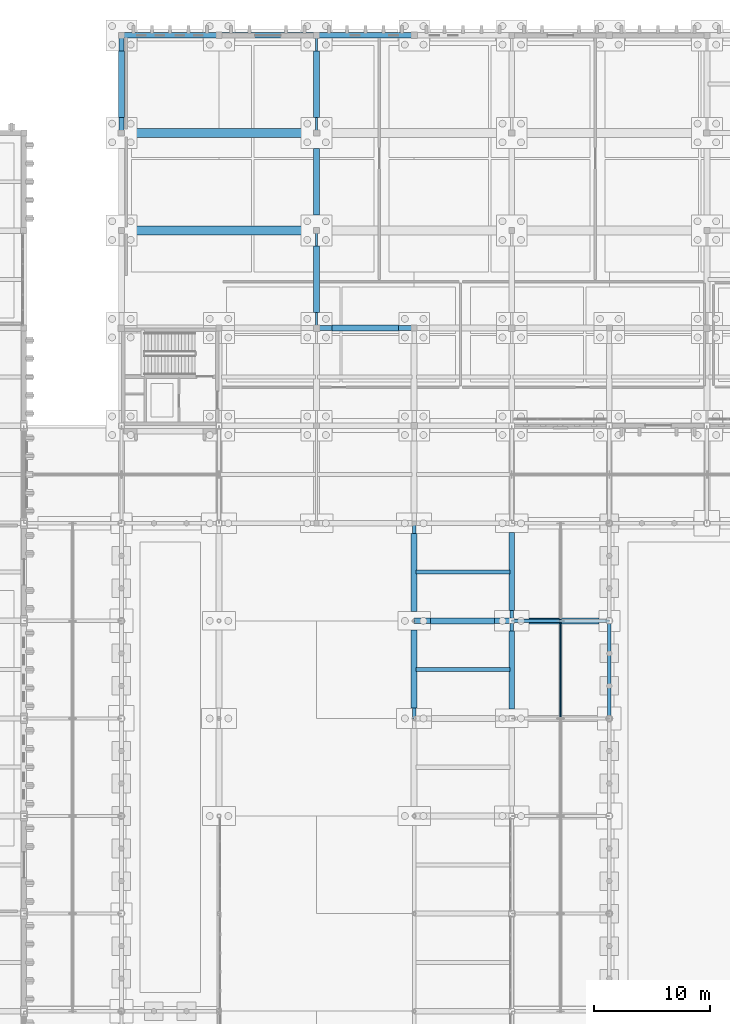
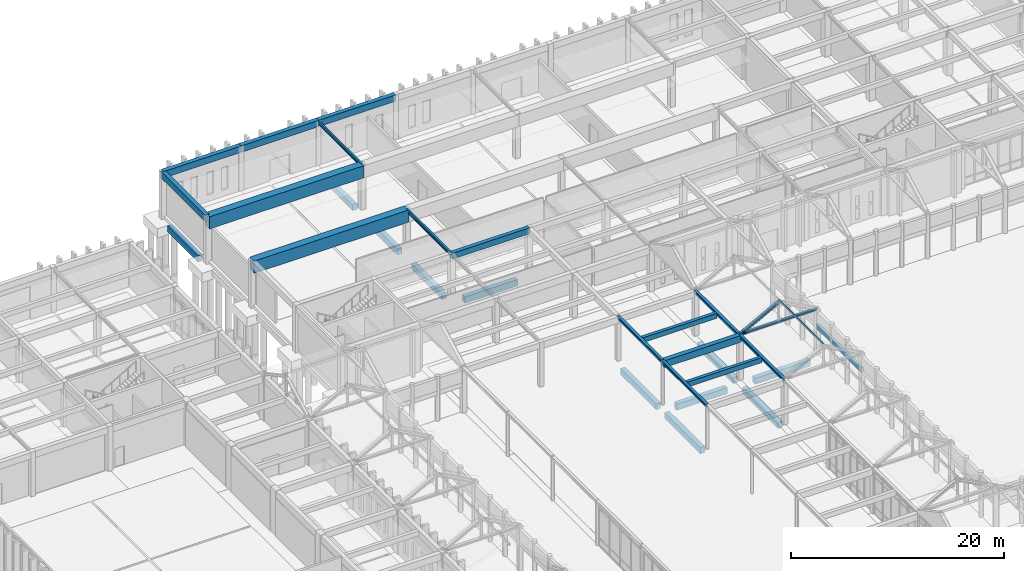
# One storey, part 56 of 143: 28 beams, 3 members.
"""IFC4 building model written with IfcOpenShell, lengths in metres."""

from ifc_helpers import new_model, si_unit, direction, frame, origin, origin_2d, place, context, subcontext, project, spatial, rectangle, hollow_rectangle, i_section, extrude, material, material_profile, profile_set, type_object, element, save


model = new_model("IFC4")

# Units and contexts
model_context = context("Model", 3, precision=1e-05, world=origin(), true_north=direction((0.0, 1.0)))
body_context = subcontext(model_context, "Body", "Model", "MODEL_VIEW")
ifc_project = project(units=[si_unit("LENGTHUNIT", "METRE"), si_unit("AREAUNIT", "SQUARE_METRE"), si_unit("VOLUMEUNIT", "CUBIC_METRE"), si_unit("PLANEANGLEUNIT", "RADIAN"), si_unit("MASSUNIT", "GRAM", prefix="KILO")], contexts=[model_context])

# Site, building, storey
site_placement = place(None, origin())
site = spatial("IfcSite", under=ifc_project, at=site_placement, CompositionType="ELEMENT")
building_placement = place(site_placement, origin())
building = spatial("IfcBuilding", under=site, at=building_placement, Name="Kveldsbrygga Polytechnic", CompositionType="ELEMENT")
storey_placement = place(building_placement, origin())
storey = spatial("IfcBuildingStorey", under=building, at=storey_placement, Name="L00", CompositionType="ELEMENT", Elevation=0.0)

# Beams
ifc_material_1 = material(Name="Concrete C35/45", Category="concrete")
ifc_material_profile_1 = material_profile(ifc_material_1, rectangle(XDim=0.419921875, YDim=0.679931640625, at=origin_2d()), Name="RC 420x680")
ifc_profile_set_1 = profile_set([ifc_material_profile_1], Name="Concrete C35/45")
beam_type_1 = type_object("IfcBeamType", Name="BM-RC-420x680", PredefinedType="BEAM", material=ifc_profile_set_1)
beam_1_placement = place(storey_placement, frame((58.800048828125, 92.39990234375, 4.800048828125), z_axis=(1.0, 0.0, 0.0), x_axis=(0.0, 1.0, 0.0)))
element("IfcBeam", 1, at=beam_1_placement, inside=storey, type_object=beam_type_1, Name="Primary Beam BMX-L00-07to08-11", PredefinedType="BEAM", context=body_context, shape_type="SweptSolid", body=[
    extrude(rectangle(XDim=0.419921875, YDim=0.679931640625, at=origin_2d()), origin(), (0.0, 0.0, 1.0), 8.39990234375),
])
ifc_material_profile_2 = material_profile(ifc_material_1, rectangle(XDim=0.449951171875, YDim=0.75, at=origin_2d()), Name="RC 450x750")
ifc_profile_set_2 = profile_set([ifc_material_profile_2], Name="Concrete C35/45")
beam_type_2 = type_object("IfcBeamType", Name="BM-RC-450x750", PredefinedType="BEAM", material=ifc_profile_set_2)
beam_2_placement = place(storey_placement, frame((42.0, 109.199951171875, 4.764892578125), z_axis=(0.0, 1.0, 0.0), x_axis=(-1.0, 0.0, 0.0)))
element("IfcBeam", 2, at=beam_2_placement, inside=storey, type_object=beam_type_2, Name="Primary Beam BMY-L00-05-13to14", PredefinedType="BEAM", context=body_context, shape_type="SweptSolid", body=[
    extrude(rectangle(XDim=0.449951171875, YDim=0.75, at=origin_2d()), origin(), (0.0, 0.0, 1.0), 8.400146484375),
])
ifc_material_profile_3 = material_profile(ifc_material_1, rectangle(XDim=0.4599609375, YDim=0.739990234375, at=origin_2d()), Name="RC 460x740")
ifc_profile_set_3 = profile_set([ifc_material_profile_3], Name="Concrete C35/45")
beam_type_3 = type_object("IfcBeamType", Name="BM-RC-460x740", PredefinedType="BEAM", material=ifc_profile_set_3)
beam_3_placement = place(storey_placement, frame((42.0, 117.60009765625, 4.77001953125), z_axis=(1.0, 0.0, 0.0), x_axis=(0.0, 1.0, 0.0)))
element("IfcBeam", 3, at=beam_3_placement, inside=storey, type_object=beam_type_3, Name="Primary Beam BMX-L00-05to06-14", PredefinedType="BEAM", context=body_context, shape_type="SweptSolid", body=[
    extrude(rectangle(XDim=0.4599609375, YDim=0.739990234375, at=origin_2d()), origin(), (0.0, 0.0, 1.0), 8.39990234375),
])
beam_4_placement = place(storey_placement, frame((50.39990234375, 117.60009765625, 4.77001953125), z_axis=(1.0, 0.0, 0.0), x_axis=(0.0, 1.0, 0.0)))
element("IfcBeam", 4, at=beam_4_placement, inside=storey, type_object=beam_type_3, Name="Primary Beam BMX-L00-06to07-14", PredefinedType="BEAM", context=body_context, shape_type="SweptSolid", body=[
    extrude(rectangle(XDim=0.4599609375, YDim=0.739990234375, at=origin_2d()), origin(), (0.0, 0.0, 1.0), 8.400146484375),
])
beam_5_placement = place(storey_placement, frame((58.800048828125, 117.60009765625, 4.77001953125), z_axis=(1.0, 0.0, 0.0), x_axis=(0.0, 1.0, 0.0)))
element("IfcBeam", 5, at=beam_5_placement, inside=storey, type_object=beam_type_3, Name="Primary Beam BMX-L00-07to08-14", PredefinedType="BEAM", context=body_context, shape_type="SweptSolid", body=[
    extrude(rectangle(XDim=0.4599609375, YDim=0.739990234375, at=origin_2d()), origin(), (0.0, 0.0, 1.0), 8.39990234375),
])
ifc_material_profile_4 = material_profile(ifc_material_1, rectangle(XDim=0.47998046875, YDim=0.780029296875, at=origin_2d()), Name="RC 480x780")
ifc_profile_set_4 = profile_set([ifc_material_profile_4], Name="Concrete C35/45")
beam_type_4 = type_object("IfcBeamType", Name="BM-RC-480x780", PredefinedType="BEAM", material=ifc_profile_set_4)
beam_6_placement = place(storey_placement, frame((67.199951171875, 67.199951171875, 4.75), z_axis=(1.0, 0.0, 0.0), x_axis=(0.0, 1.0, 0.0)))
element("IfcBeam", 6, at=beam_6_placement, inside=storey, type_object=beam_type_4, Name="Primary Beam BMX-L00-08to09-08", PredefinedType="BEAM", context=body_context, shape_type="SweptSolid", body=[
    extrude(rectangle(XDim=0.47998046875, YDim=0.780029296875, at=origin_2d()), origin(), (0.0, 0.0, 1.0), 8.400146484375),
])
ifc_material_2 = material(Name="Concrete C45/55", Category="concrete")
ifc_material_profile_5 = material_profile(ifc_material_2, rectangle(XDim=0.800048828125, YDim=1.39990234375, at=origin_2d()), Name="RC 800x1400")
ifc_profile_set_5 = profile_set([ifc_material_profile_5], Name="Concrete C45/55")
beam_type_5 = type_object("IfcBeamType", Name="BM-RC-800x1400", PredefinedType="BEAM", material=ifc_profile_set_5)
for number, where, z_axis, x_axis, name in (
    (7, (42.0, 100.800048828125, 4.43994140625), (1.0, 0.0, 0.0), (0.0, 1.0, 0.0), "Primary Beam BMX-L00-05to07-12"),
    (8, (42.0, 109.199951171875, 4.43994140625), (1.0, 0.0, 0.0), (0.0, 1.0, 0.0), "Primary Beam BMX-L00-05to07-13"),
):
    element("IfcBeam", number, at=place(storey_placement, frame(where, z_axis=z_axis, x_axis=x_axis)), inside=storey, type_object=beam_type_5, Name=name, PredefinedType="BEAM", context=body_context, shape_type="SweptSolid", body=[
        extrude(rectangle(XDim=0.800048828125, YDim=1.39990234375, at=origin_2d()), origin(), (0.0, 0.0, 1.0), 16.800048828125),
    ])
ifc_material_3 = material(Name="Steel S355", Category="steel")
ifc_material_profile_6 = material_profile(ifc_material_3, i_section(OverallWidth=0.300048828125, OverallDepth=0.31005859375, WebThickness=0.009033203125, FlangeThickness=0.015380859375, FilletRadius=0.027099609375, at=origin_2d()), Name="HEA 320")
ifc_profile_set_6 = profile_set([ifc_material_profile_6], Name="Steel S355")
beam_type_6 = type_object("IfcBeamType", Name="BM-STL-HEA320", PredefinedType="BEAM", material=ifc_profile_set_6)
beam_7_placement = place(storey_placement, frame((67.199951171875, 58.800048828125, 4.985107421875), z_axis=(0.0, 1.0, 0.0), x_axis=(-1.0, 0.0, 0.0)))
element("IfcBeam", 9, at=beam_7_placement, inside=storey, type_object=beam_type_6, Name="Primary Beam BMY-L00-08-07to08", PredefinedType="BEAM", context=body_context, shape_type="SweptSolid", body=[
    extrude(i_section(OverallWidth=0.300048828125, OverallDepth=0.31005859375, WebThickness=0.009033203125, FlangeThickness=0.015380859375, FilletRadius=0.027099609375, at=origin_2d()), origin(), (0.0, 0.0, 1.0), 8.39990234375),
])
beam_8_placement = place(storey_placement, frame((67.199951171875, 67.199951171875, 4.985107421875), z_axis=(0.0, 1.0, 0.0), x_axis=(-1.0, 0.0, 0.0)))
element("IfcBeam", 10, at=beam_8_placement, inside=storey, type_object=beam_type_6, Name="Primary Beam BMY-L00-08-08to09", PredefinedType="BEAM", context=body_context, shape_type="SweptSolid", body=[
    extrude(i_section(OverallWidth=0.300048828125, OverallDepth=0.31005859375, WebThickness=0.009033203125, FlangeThickness=0.015380859375, FilletRadius=0.027099609375, at=origin_2d()), origin(), (0.0, 0.0, 1.0), 8.400146484375),
])
beam_9_placement = place(storey_placement, frame((75.60009765625, 58.800048828125, 4.985107421875), z_axis=(0.0, 1.0, 0.0), x_axis=(-1.0, 0.0, 0.0)))
element("IfcBeam", 11, at=beam_9_placement, inside=storey, type_object=beam_type_6, Name="Primary Beam BMY-L00-09-07to08", PredefinedType="BEAM", context=body_context, shape_type="SweptSolid", body=[
    extrude(i_section(OverallWidth=0.300048828125, OverallDepth=0.31005859375, WebThickness=0.009033203125, FlangeThickness=0.015380859375, FilletRadius=0.027099609375, at=origin_2d()), origin(), (0.0, 0.0, 1.0), 8.39990234375),
])
beam_10_placement = place(storey_placement, frame((75.60009765625, 67.199951171875, 4.985107421875), z_axis=(0.0, 1.0, 0.0), x_axis=(-1.0, 0.0, 0.0)))
element("IfcBeam", 12, at=beam_10_placement, inside=storey, type_object=beam_type_6, Name="Primary Beam BMY-L00-09-08to09", PredefinedType="BEAM", context=body_context, shape_type="SweptSolid", body=[
    extrude(i_section(OverallWidth=0.300048828125, OverallDepth=0.31005859375, WebThickness=0.009033203125, FlangeThickness=0.015380859375, FilletRadius=0.027099609375, at=origin_2d()), origin(), (0.0, 0.0, 1.0), 8.400146484375),
])
ifc_material_profile_7 = material_profile(ifc_material_3, i_section(OverallWidth=0.179931640625, OverallDepth=0.39990234375, WebThickness=0.008544921875, FlangeThickness=0.013427734375, FilletRadius=0.02099609375, at=origin_2d()), Name="IPE 400")
ifc_profile_set_7 = profile_set([ifc_material_profile_7], Name="Steel S355")
beam_type_7 = type_object("IfcBeamType", Name="BM-STL-IPE400", PredefinedType="BEAM", material=ifc_profile_set_7)
for number, where, z_axis, x_axis, name in (
    (13, (58.800048828125, 92.39990234375, 4.93994140625), (0.0, 1.0, 0.0), (-1.0, 0.0, 0.0), "Primary Beam BMY-L00-07-11to12"),
    (14, (58.800048828125, 109.199951171875, 4.93994140625), (0.0, 1.0, 0.0), (-1.0, 0.0, 0.0), "Primary Beam BMY-L00-07-13to14"),
):
    element("IfcBeam", number, at=place(storey_placement, frame(where, z_axis=z_axis, x_axis=x_axis)), inside=storey, type_object=beam_type_7, Name=name, PredefinedType="BEAM", context=body_context, shape_type="SweptSolid", body=[
        extrude(i_section(OverallWidth=0.179931640625, OverallDepth=0.39990234375, WebThickness=0.008544921875, FlangeThickness=0.013427734375, FilletRadius=0.02099609375, at=origin_2d()), origin(), (0.0, 0.0, 1.0), 8.400146484375),
    ])
ifc_material_profile_8 = material_profile(ifc_material_1, rectangle(XDim=0.5, YDim=0.699951171875, at=origin_2d()), Name="RC 500x700")
ifc_profile_set_8 = profile_set([ifc_material_profile_8], Name="Concrete C35/45")
beam_type_8 = type_object("IfcBeamType", Name="BM-TIE-500x700", PredefinedType="BEAM", material=ifc_profile_set_8)
beam_11_placement = place(storey_placement, frame((42.0, 110.527099609375, -0.669921875), z_axis=(0.0, 1.0, 0.0), x_axis=(-1.0, 0.0, 0.0)))
element("IfcBeam", 15, at=beam_11_placement, inside=storey, type_object=beam_type_8, Name="Ground Tie Beam GB-L00-Y-05-13", PredefinedType="BEAM", context=body_context, shape_type="SweptSolid", body=[
    extrude(rectangle(XDim=0.5, YDim=0.699951171875, at=origin_2d()), origin(), (0.0, 0.0, 1.0), 5.745849609375),
])
beam_12_placement = place(storey_placement, frame((60.126953125, 92.39990234375, -0.669921875), z_axis=(1.0, 0.0, 0.0), x_axis=(0.0, 1.0, 0.0)))
element("IfcBeam", 16, at=beam_12_placement, inside=storey, type_object=beam_type_8, Name="Ground Tie Beam GB-L00-X-07-11", PredefinedType="BEAM", context=body_context, shape_type="SweptSolid", body=[
    extrude(rectangle(XDim=0.5, YDim=0.699951171875, at=origin_2d()), origin(), (0.0, 0.0, 1.0), 5.74609375),
])
beam_13_placement = place(storey_placement, frame((58.800048828125, 93.72705078125, -0.669921875), z_axis=(0.0, 1.0, 0.0), x_axis=(-1.0, 0.0, 0.0)))
element("IfcBeam", 17, at=beam_13_placement, inside=storey, type_object=beam_type_8, Name="Ground Tie Beam GB-L00-Y-07-11", PredefinedType="BEAM", context=body_context, shape_type="SweptSolid", body=[
    extrude(rectangle(XDim=0.5, YDim=0.699951171875, at=origin_2d()), origin(), (0.0, 0.0, 1.0), 5.745849609375),
])
beam_14_placement = place(storey_placement, frame((58.800048828125, 102.126953125, -0.669921875), z_axis=(0.0, 1.0, 0.0), x_axis=(-1.0, 0.0, 0.0)))
element("IfcBeam", 18, at=beam_14_placement, inside=storey, type_object=beam_type_8, Name="Ground Tie Beam GB-L00-Y-07-12", PredefinedType="BEAM", context=body_context, shape_type="SweptSolid", body=[
    extrude(rectangle(XDim=0.5, YDim=0.699951171875, at=origin_2d()), origin(), (0.0, 0.0, 1.0), 5.74609375),
])
beam_15_placement = place(storey_placement, frame((58.800048828125, 110.527099609375, -0.669921875), z_axis=(0.0, 1.0, 0.0), x_axis=(-1.0, 0.0, 0.0)))
element("IfcBeam", 19, at=beam_15_placement, inside=storey, type_object=beam_type_8, Name="Ground Tie Beam GB-L00-Y-07-13", PredefinedType="BEAM", context=body_context, shape_type="SweptSolid", body=[
    extrude(rectangle(XDim=0.5, YDim=0.699951171875, at=origin_2d()), origin(), (0.0, 0.0, 1.0), 5.745849609375),
])
beam_16_placement = place(storey_placement, frame((67.199951171875, 59.677001953125, -0.669921875), z_axis=(0.0, 1.0, 0.0), x_axis=(-1.0, 0.0, 0.0)))
element("IfcBeam", 20, at=beam_16_placement, inside=storey, type_object=beam_type_8, Name="Ground Tie Beam GB-L00-Y-08-07", PredefinedType="BEAM", context=body_context, shape_type="SweptSolid", body=[
    extrude(rectangle(XDim=0.5, YDim=0.699951171875, at=origin_2d()), origin(), (0.0, 0.0, 1.0), 6.720947265625),
])
beam_17_placement = place(storey_placement, frame((68.60205078125, 67.199951171875, -0.669921875), z_axis=(1.0, 0.0, 0.0), x_axis=(0.0, 1.0, 0.0)))
element("IfcBeam", 21, at=beam_17_placement, inside=storey, type_object=beam_type_8, Name="Ground Tie Beam GB-L00-X-08-08", PredefinedType="BEAM", context=body_context, shape_type="SweptSolid", body=[
    extrude(rectangle(XDim=0.5, YDim=0.699951171875, at=origin_2d()), origin(), (0.0, 0.0, 1.0), 5.495849609375),
])
for number, where, z_axis, x_axis, name in (
    (22, (67.199951171875, 68.001953125, -0.669921875), (0.0, 1.0, 0.0), (-1.0, 0.0, 0.0), "Ground Tie Beam GB-L00-Y-08-08"),
    (23, (75.60009765625, 59.60205078125, -0.669921875), (0.0, 1.0, 0.0), (-1.0, 0.0, 0.0), "Ground Tie Beam GB-L00-Y-09-07"),
):
    element("IfcBeam", number, at=place(storey_placement, frame(where, z_axis=z_axis, x_axis=x_axis)), inside=storey, type_object=beam_type_8, Name=name, PredefinedType="BEAM", context=body_context, shape_type="SweptSolid", body=[
        extrude(rectangle(XDim=0.5, YDim=0.699951171875, at=origin_2d()), origin(), (0.0, 0.0, 1.0), 6.720947265625),
    ])
beam_18_placement = place(storey_placement, frame((77.10205078125, 67.199951171875, -0.669921875), z_axis=(1.0, 0.0, 0.0), x_axis=(0.0, 1.0, 0.0)))
element("IfcBeam", 24, at=beam_18_placement, inside=storey, type_object=beam_type_8, Name="Ground Tie Beam GB-L00-X-09-08", PredefinedType="BEAM", context=body_context, shape_type="SweptSolid", body=[
    extrude(rectangle(XDim=0.5, YDim=0.699951171875, at=origin_2d()), origin(), (0.0, 0.0, 1.0), 5.995849609375),
])
beam_19_placement = place(storey_placement, frame((75.60009765625, 68.076904296875, -0.669921875), z_axis=(0.0, 1.0, 0.0), x_axis=(-1.0, 0.0, 0.0)))
element("IfcBeam", 25, at=beam_19_placement, inside=storey, type_object=beam_type_8, Name="Ground Tie Beam GB-L00-Y-09-08", PredefinedType="BEAM", context=body_context, shape_type="SweptSolid", body=[
    extrude(rectangle(XDim=0.5, YDim=0.699951171875, at=origin_2d()), origin(), (0.0, 0.0, 1.0), 6.72119140625),
])
ifc_material_profile_9 = material_profile(ifc_material_1, rectangle(XDim=0.340087890625, YDim=0.56005859375, at=origin_2d()), Name="RC 340x560")
ifc_profile_set_9 = profile_set([ifc_material_profile_9], Name="Concrete C35/45")
beam_type_9 = type_object("IfcBeamType", Name="JST-RC-340x560", PredefinedType="JOIST", material=ifc_profile_set_9)
beam_20_placement = place(storey_placement, frame((67.35009765625, 63.0, 4.860107421875), z_axis=(1.0, 0.0, 0.0), x_axis=(0.0, 1.0, 0.0)))
element("IfcBeam", 26, at=beam_20_placement, inside=storey, type_object=beam_type_9, Name="Secondary Joist JST-L00-08-07", PredefinedType="JOIST", context=body_context, shape_type="SweptSolid", body=[
    extrude(rectangle(XDim=0.340087890625, YDim=0.56005859375, at=origin_2d()), origin(), (0.0, 0.0, 1.0), 8.099853515625),
])
ifc_material_profile_10 = material_profile(ifc_material_1, rectangle(XDim=0.35009765625, YDim=0.550048828125, at=origin_2d()), Name="RC 350x550")
ifc_profile_set_10 = profile_set([ifc_material_profile_10], Name="Concrete C35/45")
beam_type_10 = type_object("IfcBeamType", Name="JST-RC-350x550", PredefinedType="JOIST", material=ifc_profile_set_10)
beam_21_placement = place(storey_placement, frame((67.35009765625, 71.39990234375, 4.864990234375), z_axis=(1.0, 0.0, 0.0), x_axis=(0.0, 1.0, 0.0)))
element("IfcBeam", 27, at=beam_21_placement, inside=storey, type_object=beam_type_10, Name="Secondary Joist JST-L00-08-08", PredefinedType="JOIST", context=body_context, shape_type="SweptSolid", body=[
    extrude(rectangle(XDim=0.35009765625, YDim=0.550048828125, at=origin_2d()), origin(), (0.0, 0.0, 1.0), 8.099853515625),
])
ifc_material_profile_11 = material_profile(ifc_material_1, rectangle(XDim=0.300048828125, YDim=0.5, at=origin_2d()), Name="RC 300x500")
ifc_profile_set_11 = profile_set([ifc_material_profile_11], Name="Concrete C35/45")
beam_type_11 = type_object("IfcBeamType", Name="LNT-RC-300x500", PredefinedType="LINTEL", material=ifc_profile_set_11)
beam_22_placement = place(storey_placement, frame((84.0, 58.800048828125, 3.199951171875), z_axis=(0.0, 1.0, 0.0), x_axis=(-1.0, 0.0, 0.0)))
element("IfcBeam", 28, at=beam_22_placement, inside=storey, type_object=beam_type_11, Name="Cloister Arcade Arch Lintel Beam BM-ARC-HDR-19", PredefinedType="LINTEL", context=body_context, shape_type="SweptSolid", body=[
    extrude(rectangle(XDim=0.300048828125, YDim=0.5, at=origin_2d()), origin(), (0.0, 0.0, 1.0), 8.39990234375),
])

# Members
ifc_material_profile_12 = material_profile(ifc_material_3, hollow_rectangle(XDim=0.10009765625, YDim=0.14990234375, WallThickness=0.008056640625, at=origin_2d()), Name="RHS 150x100x8.0")
ifc_profile_set_12 = profile_set([ifc_material_profile_12], Name="Steel S355")
member_type_1 = type_object("IfcMemberType", Name="PRL-RHS150", PredefinedType="PURLIN", material=ifc_profile_set_12)
member_1_placement = place(storey_placement, frame((79.800048828125, 58.800048828125, 7.6337890625), z_axis=(0.0, 1.0, 0.0), x_axis=(-0.881479888517, 0.0, 0.472221564671)))
element("IfcMember", 29, at=member_1_placement, inside=storey, type_object=member_type_1, Name="Roof Purlin ARC-EW-PRL-4-1", PredefinedType="PURLIN", context=body_context, shape_type="SweptSolid", body=[
    extrude(hollow_rectangle(XDim=0.10009765625, YDim=0.14990234375, WallThickness=0.008056640625, at=origin_2d()), origin(), (0.0, 0.0, 1.0), 8.39990234375),
])
ifc_material_profile_13 = material_profile(ifc_material_3, i_section(OverallWidth=0.239990234375, OverallDepth=0.239990234375, WebThickness=0.010009765625, FlangeThickness=0.01708984375, FilletRadius=0.02099609375, at=origin_2d()), Name="HEB 240")
ifc_profile_set_13 = profile_set([ifc_material_profile_13], Name="Steel S355")
member_type_2 = type_object("IfcMemberType", Name="TR-BOT-HEB240", PredefinedType="CHORD", material=ifc_profile_set_13)
member_2_placement = place(storey_placement, frame((75.60009765625, 67.199951171875, 5.139892578125), z_axis=(1.0, 0.0, 0.0), x_axis=(0.0, 1.0, 0.0)))
element("IfcMember", 30, at=member_2_placement, inside=storey, type_object=member_type_2, Name="Truss Bottom Chord ARC-EW-T05-BC-1", PredefinedType="CHORD", context=body_context, shape_type="SweptSolid", body=[
    extrude(i_section(OverallWidth=0.239990234375, OverallDepth=0.239990234375, WebThickness=0.010009765625, FlangeThickness=0.01708984375, FilletRadius=0.02099609375, at=origin_2d()), origin(), (0.0, 0.0, 1.0), 8.39990234375),
])
ifc_material_profile_14 = material_profile(ifc_material_3, i_section(OverallWidth=0.280029296875, OverallDepth=0.280029296875, WebThickness=0.010498046875, FlangeThickness=0.01806640625, FilletRadius=0.02392578125, at=origin_2d()), Name="HEB 280")
ifc_profile_set_14 = profile_set([ifc_material_profile_14], Name="Steel S355")
member_type_3 = type_object("IfcMemberType", Name="TR-TOP-HEB280", PredefinedType="CHORD", material=ifc_profile_set_14)
member_3_placement = place(storey_placement, frame((75.60009765625, 67.199951171875, 5.139892578125), z_axis=(0.881477684796, 0.0, 0.472225678258), x_axis=(0.0, 1.0, 0.0)))
element("IfcMember", 31, at=member_3_placement, inside=storey, type_object=member_type_3, Name="Truss Top Chord ARC-EW-T05-TC-1", PredefinedType="CHORD", context=body_context, shape_type="SweptSolid", body=[
    extrude(i_section(OverallWidth=0.280029296875, OverallDepth=0.280029296875, WebThickness=0.010498046875, FlangeThickness=0.01806640625, FilletRadius=0.02392578125, at=origin_2d()), origin(), (0.0, 0.0, 1.0), 4.7646484375),
])

save(model, "model.ifc")
